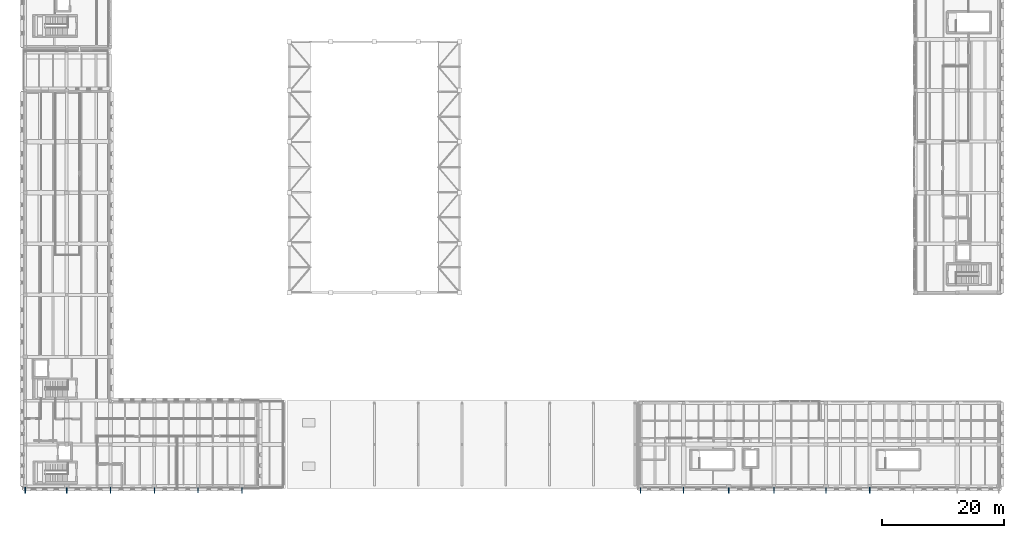
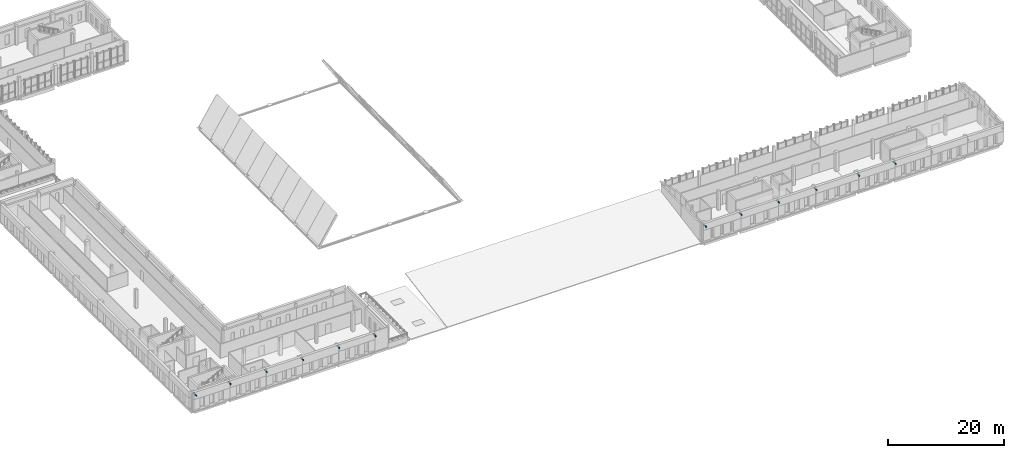
# One storey, part 27 of 56: 12 members.
"""IFC4 building model written with IfcOpenShell, lengths in metres."""

from ifc_helpers import new_model, si_unit, direction, frame, origin, origin_2d, place, context, subcontext, project, spatial, i_section, extrude, material, material_profile, profile_set, type_object, element, save


model = new_model("IFC4")

# Units and contexts
model_context = context("Model", 3, precision=1e-05, world=origin(), true_north=direction((0.0, 1.0)))
body_context = subcontext(model_context, "Body", "Model", "MODEL_VIEW")
ifc_project = project(units=[si_unit("LENGTHUNIT", "METRE"), si_unit("AREAUNIT", "SQUARE_METRE"), si_unit("VOLUMEUNIT", "CUBIC_METRE"), si_unit("PLANEANGLEUNIT", "RADIAN"), si_unit("MASSUNIT", "GRAM", prefix="KILO")], contexts=[model_context])

# Site, building, storey
site_placement = place(None, origin())
site = spatial("IfcSite", under=ifc_project, at=site_placement, CompositionType="ELEMENT")
building_placement = place(site_placement, origin())
building = spatial("IfcBuilding", under=site, at=building_placement, Name="Vardoun Plaza Health Centre", CompositionType="ELEMENT")
storey_placement = place(building_placement, frame((0.0, 0.0, 8.699951171875)))
storey = spatial("IfcBuildingStorey", under=building, at=storey_placement, Name="L02", CompositionType="ELEMENT", Elevation=8.699951171875)

# Members
ifc_material_1 = material(Name="Steel S355J2", Category="steel")
ifc_material_profile_1 = material_profile(ifc_material_1, i_section(OverallWidth=0.1201171875, OverallDepth=0.239990234375, WebThickness=0.006103515625, FlangeThickness=0.009765625, FilletRadius=0.014892578125, at=origin_2d()), Name="IPE 240")
ifc_profile_set_1 = profile_set([ifc_material_profile_1], Name="Steel S355J2")
member_type_1 = type_object("IfcMemberType", Name="CR-01", PredefinedType="RAFTER", material=ifc_profile_set_1)
for number, where, z_axis, x_axis, name in (
    (1, (4.8798828125, 4.64990234375, 3.670166015625), (0.0, -1.0, 0.0), (1.0, 0.0, 0.0), "V2 L02 South Facade Shading Fin Arm SH-V2-L02-015"),
    (2, (40.5, 4.625, 3.670166015625), (0.0, -1.0, 0.0), (1.0, 0.0, 0.0), "V2 L02 South Facade Shading Fin Arm SH-V2-L02-020"),
    (3, (106.0400390625, 4.625, 3.655029296875), (0.0, -1.0, 0.0), (1.0, 0.0, 0.0), "V5 L02 South Facade Shading Fin Arm SH-V5-L02-075"),
    (4, (143.699951171875, 4.64990234375, 3.655029296875), (0.0, -1.0, 0.0), (1.0, 0.0, 0.0), "V5 L02 South Facade Shading Fin Arm SH-V5-L02-080"),
):
    element("IfcMember", number, at=place(storey_placement, frame(where, z_axis=z_axis, x_axis=x_axis)), inside=storey, type_object=member_type_1, Name=name, PredefinedType="RAFTER", context=body_context, shape_type="SweptSolid", body=[
        extrude(i_section(OverallWidth=0.1201171875, OverallDepth=0.239990234375, WebThickness=0.006103515625, FlangeThickness=0.009765625, FilletRadius=0.014892578125, at=origin_2d()), origin(), (0.0, 0.0, 1.0), 0.949951171875),
    ])
ifc_material_2 = material(Name="Steel S355J2", Category="steel")
ifc_material_profile_2 = material_profile(ifc_material_2, i_section(OverallWidth=0.110107421875, OverallDepth=0.219970703125, WebThickness=0.005859375, FlangeThickness=0.00927734375, FilletRadius=0.011962890625, at=origin_2d()), Name="IPE 220")
ifc_profile_set_2 = profile_set([ifc_material_profile_2], Name="Steel S355J2")
member_type_2 = type_object("IfcMemberType", Name="CR-02", PredefinedType="RAFTER", material=ifc_profile_set_2)
for number, where, z_axis, x_axis, name in (
    (5, (11.699951171875, 4.625, 3.670166015625), (0.0, -1.0, 0.0), (1.0, 0.0, 0.0), "V2 L02 South Facade Shading Fin Arm SH-V2-L02-016"),
    (6, (113.10009765625, 4.64990234375, 3.655029296875), (0.0, -1.0, 0.0), (1.0, 0.0, 0.0), "V5 L02 South Facade Shading Fin Arm SH-V5-L02-076"),
):
    element("IfcMember", number, at=place(storey_placement, frame(where, z_axis=z_axis, x_axis=x_axis)), inside=storey, type_object=member_type_2, Name=name, PredefinedType="RAFTER", context=body_context, shape_type="SweptSolid", body=[
        extrude(i_section(OverallWidth=0.110107421875, OverallDepth=0.219970703125, WebThickness=0.005859375, FlangeThickness=0.00927734375, FilletRadius=0.011962890625, at=origin_2d()), origin(), (0.0, 0.0, 1.0), 0.949951171875),
    ])
ifc_material_3 = material(Name="Steel S355J2", Category="steel")
ifc_material_profile_3 = material_profile(ifc_material_3, i_section(OverallWidth=0.10009765625, OverallDepth=0.199951171875, WebThickness=0.005615234375, FlangeThickness=0.008544921875, FilletRadius=0.011962890625, at=origin_2d()), Name="IPE 200")
ifc_profile_set_3 = profile_set([ifc_material_profile_3], Name="Steel S355J2")
member_type_3 = type_object("IfcMemberType", Name="CR-03", PredefinedType="RAFTER", material=ifc_profile_set_3)
for number, where, z_axis, x_axis, name in (
    (7, (18.89990234375, 4.64990234375, 3.670166015625), (0.0, -1.0, 0.0), (1.0, 0.0, 0.0), "V2 L02 South Facade Shading Fin Arm SH-V2-L02-017"),
    (8, (120.5400390625, 4.625, 3.655029296875), (0.0, -1.0, 0.0), (1.0, 0.0, 0.0), "V5 L02 South Facade Shading Fin Arm SH-V5-L02-077"),
):
    element("IfcMember", number, at=place(storey_placement, frame(where, z_axis=z_axis, x_axis=x_axis)), inside=storey, type_object=member_type_3, Name=name, PredefinedType="RAFTER", context=body_context, shape_type="SweptSolid", body=[
        extrude(i_section(OverallWidth=0.10009765625, OverallDepth=0.199951171875, WebThickness=0.005615234375, FlangeThickness=0.008544921875, FilletRadius=0.011962890625, at=origin_2d()), origin(), (0.0, 0.0, 1.0), 0.949951171875),
    ])
ifc_material_4 = material(Name="Steel S355J2", Category="steel")
ifc_material_profile_4 = material_profile(ifc_material_4, i_section(OverallWidth=0.091064453125, OverallDepth=0.179931640625, WebThickness=0.00537109375, FlangeThickness=0.008056640625, FilletRadius=0.009033203125, at=origin_2d()), Name="IPE 180")
ifc_profile_set_4 = profile_set([ifc_material_profile_4], Name="Steel S355J2")
member_type_4 = type_object("IfcMemberType", Name="CR-04", PredefinedType="RAFTER", material=ifc_profile_set_4)
for number, where, z_axis, x_axis, name in (
    (9, (26.10009765625, 4.625, 3.670166015625), (0.0, -1.0, 0.0), (1.0, 0.0, 0.0), "V2 L02 South Facade Shading Fin Arm SH-V2-L02-018"),
    (10, (127.97998046875, 4.64990234375, 3.655029296875), (0.0, -1.0, 0.0), (1.0, 0.0, 0.0), "V5 L02 South Facade Shading Fin Arm SH-V5-L02-078"),
):
    element("IfcMember", number, at=place(storey_placement, frame(where, z_axis=z_axis, x_axis=x_axis)), inside=storey, type_object=member_type_4, Name=name, PredefinedType="RAFTER", context=body_context, shape_type="SweptSolid", body=[
        extrude(i_section(OverallWidth=0.091064453125, OverallDepth=0.179931640625, WebThickness=0.00537109375, FlangeThickness=0.008056640625, FilletRadius=0.009033203125, at=origin_2d()), origin(), (0.0, 0.0, 1.0), 0.949951171875),
    ])
ifc_material_5 = material(Name="Steel S355J2", Category="steel")
ifc_material_profile_5 = material_profile(ifc_material_5, i_section(OverallWidth=0.199951171875, OverallDepth=0.18994140625, WebThickness=0.006591796875, FlangeThickness=0.010009765625, FilletRadius=0.01806640625, at=origin_2d()), Name="HEA 200")
ifc_profile_set_5 = profile_set([ifc_material_profile_5], Name="Steel S355J2")
member_type_5 = type_object("IfcMemberType", Name="CR-05", PredefinedType="RAFTER", material=ifc_profile_set_5)
for number, where, z_axis, x_axis, name in (
    (11, (33.300048828125, 4.64990234375, 3.670166015625), (0.0, -1.0, 0.0), (1.0, 0.0, 0.0), "V2 L02 South Facade Shading Fin Arm SH-V2-L02-019"),
    (12, (136.5, 4.625, 3.655029296875), (0.0, -1.0, 0.0), (1.0, 0.0, 0.0), "V5 L02 South Facade Shading Fin Arm SH-V5-L02-079"),
):
    element("IfcMember", number, at=place(storey_placement, frame(where, z_axis=z_axis, x_axis=x_axis)), inside=storey, type_object=member_type_5, Name=name, PredefinedType="RAFTER", context=body_context, shape_type="SweptSolid", body=[
        extrude(i_section(OverallWidth=0.199951171875, OverallDepth=0.18994140625, WebThickness=0.006591796875, FlangeThickness=0.010009765625, FilletRadius=0.01806640625, at=origin_2d()), origin(), (0.0, 0.0, 1.0), 0.949951171875),
    ])

save(model, "model.ifc")
